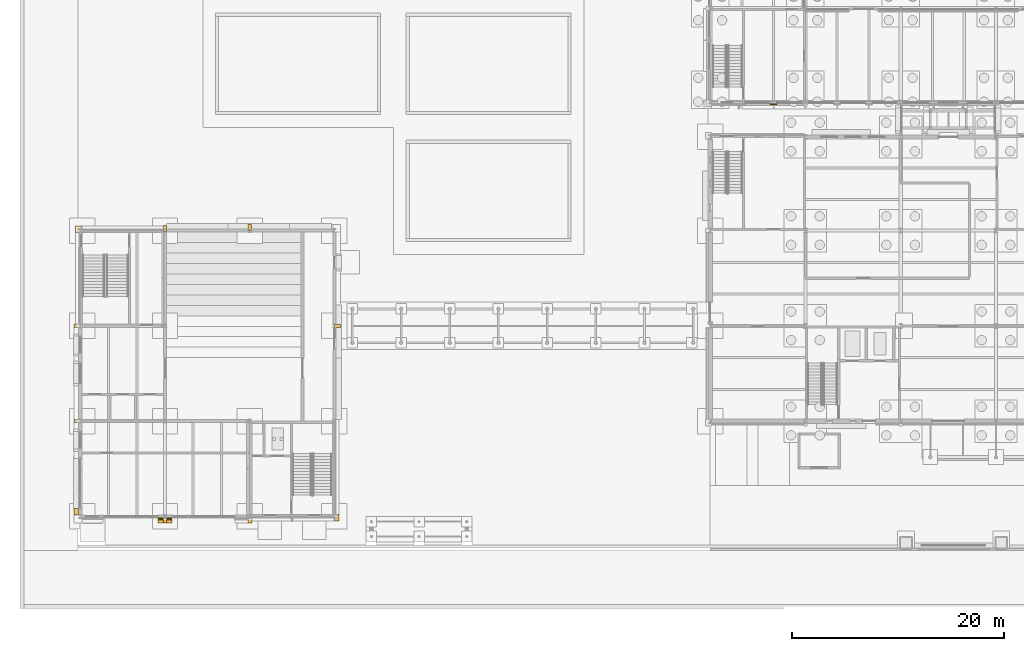
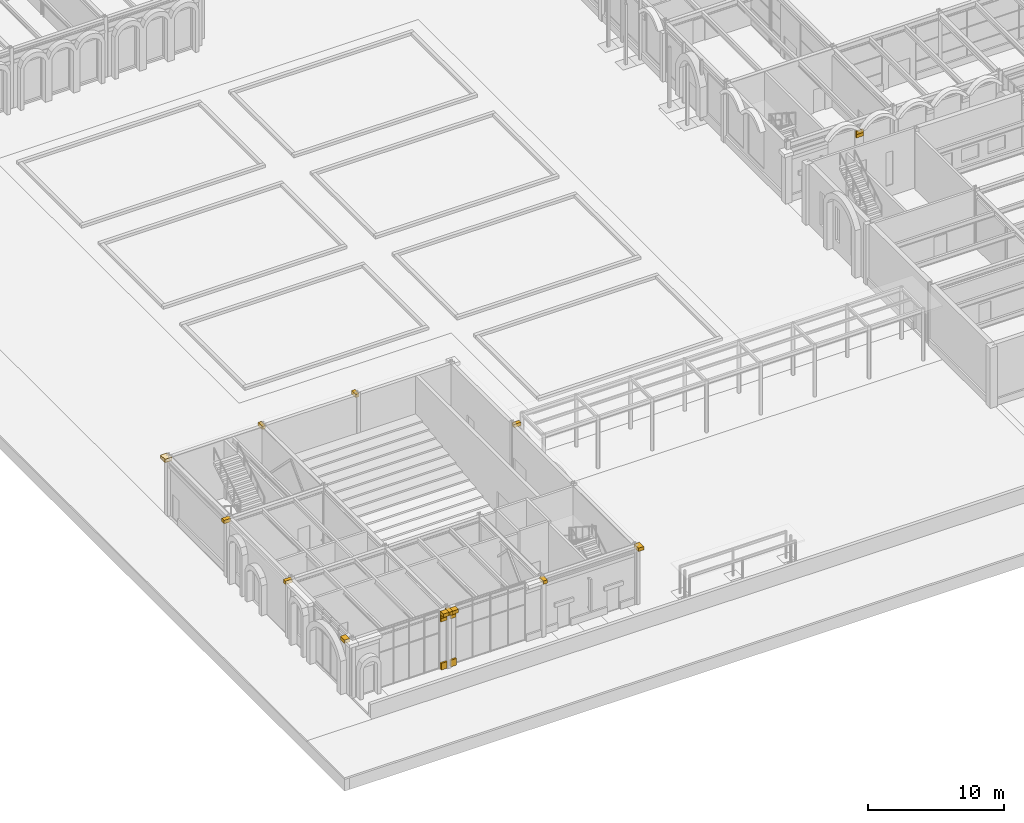
# One storey, part 121 of 126: 20 coverings.
"""IFC4 building model written with IfcOpenShell, lengths in metres."""

from ifc_helpers import new_model, si_unit, direction, frame, origin, origin_2d, place, context, subcontext, project, spatial, rectangle, extrude, material, layer, layer_set, type_object, element, save


model = new_model("IFC4")

# Units and contexts
model_context = context("Model", 3, precision=1e-05, world=origin(), true_north=direction((0.0, 1.0)))
body_context = subcontext(model_context, "Body", "Model", "MODEL_VIEW")
ifc_project = project(units=[si_unit("LENGTHUNIT", "METRE"), si_unit("AREAUNIT", "SQUARE_METRE"), si_unit("VOLUMEUNIT", "CUBIC_METRE"), si_unit("PLANEANGLEUNIT", "RADIAN"), si_unit("MASSUNIT", "GRAM", prefix="KILO")], contexts=[model_context])

# Site, building, storey
site_placement = place(None, origin())
site = spatial("IfcSite", under=ifc_project, at=site_placement, CompositionType="ELEMENT")
building_placement = place(site_placement, origin())
building = spatial("IfcBuilding", under=site, at=building_placement, Name="Kallimachos Central Library", CompositionType="ELEMENT")
storey_placement = place(building_placement, origin())
storey = spatial("IfcBuildingStorey", under=building, at=storey_placement, Name="L00", CompositionType="ELEMENT", Elevation=0.0)

# Coverings
ifc_material_1 = material(Name="Glazed ceramic frieze, green")
ifc_layer_1 = layer(ifc_material_1, 0.10009765625)
ifc_layer_set_1 = layer_set([ifc_layer_1], Name="Glazed ceramic frieze, green")
covering_type_1 = type_object("IfcCoveringType", Name="Glazed ceramic frieze, green", PredefinedType="CLADDING", material=ifc_layer_set_1)
covering_1_placement = place(storey_placement, frame((71.5, 47.929931640625, 4.02978515625), z_axis=(0.0, 0.0, 1.0), x_axis=(1.0, 0.0, 0.0)))
element("IfcCovering", 1, at=covering_1_placement, inside=storey, type_object=covering_type_1, Name="Glazed ceramic frieze, green -L00-015", PredefinedType="CLADDING", context=body_context, shape_type="SweptSolid", body=[
    extrude(rectangle(XDim=0.60009765625, YDim=0.10009765625, at=origin_2d()), origin(), (0.0, 0.0, 1.0), 0.300048828125),
])
for number, where, z_axis, x_axis, name in (
    (2, (13.60009765625, 8.800048828125, 4.580078125), (0.0, 0.0, 1.0), (1.0, 0.0, 0.0), "Glazed ceramic frieze, green -L00-006"),
    (3, (14.39990234375, 8.800048828125, 4.580078125), (0.0, 0.0, 1.0), (1.0, 0.0, 0.0), "Glazed ceramic frieze, green -L00-007"),
):
    element("IfcCovering", number, at=place(storey_placement, frame(where, z_axis=z_axis, x_axis=x_axis)), inside=storey, type_object=covering_type_1, Name=name, PredefinedType="CLADDING", context=body_context, shape_type="SweptSolid", body=[
        extrude(rectangle(XDim=0.5, YDim=0.10009765625, at=origin_2d()), origin(), (0.0, 0.0, 1.0), 0.300048828125),
    ])
ifc_material_2 = material(Name="Glazed ceramic frieze, ochre")
ifc_layer_2 = layer(ifc_material_2, 0.10009765625)
ifc_layer_set_2 = layer_set([ifc_layer_2], Name="Glazed ceramic frieze, ochre")
covering_type_2 = type_object("IfcCoveringType", Name="Glazed ceramic frieze, ochre", PredefinedType="CLADDING", material=ifc_layer_set_2)
covering_2_placement = place(storey_placement, frame((71.5, 47.929931640625, 3.72998046875), z_axis=(0.0, 0.0, 1.0), x_axis=(1.0, 0.0, 0.0)))
element("IfcCovering", 4, at=covering_2_placement, inside=storey, type_object=covering_type_2, Name="Glazed ceramic frieze, ochre -L00-015", PredefinedType="CLADDING", context=body_context, shape_type="SweptSolid", body=[
    extrude(rectangle(XDim=0.60009765625, YDim=0.10009765625, at=origin_2d()), origin(), (0.0, 0.0, 1.0), 0.300048828125),
])
for number, where, z_axis, x_axis, name in (
    (5, (13.60009765625, 8.800048828125, 4.27978515625), (0.0, 0.0, 1.0), (1.0, 0.0, 0.0), "Glazed ceramic frieze, ochre -L00-006"),
    (6, (14.39990234375, 8.800048828125, 4.27978515625), (0.0, 0.0, 1.0), (1.0, 0.0, 0.0), "Glazed ceramic frieze, ochre -L00-007"),
):
    element("IfcCovering", number, at=place(storey_placement, frame(where, z_axis=z_axis, x_axis=x_axis)), inside=storey, type_object=covering_type_2, Name=name, PredefinedType="CLADDING", context=body_context, shape_type="SweptSolid", body=[
        extrude(rectangle(XDim=0.5, YDim=0.10009765625, at=origin_2d()), origin(), (0.0, 0.0, 1.0), 0.300048828125),
    ])
ifc_material_3 = material(Name="Pentelic marble cornice", Category="masonry")
ifc_layer_3 = layer(ifc_material_3, 0.449951171875)
ifc_layer_set_3 = layer_set([ifc_layer_3], Name="Stone cornice 450")
covering_type_3 = type_object("IfcCoveringType", Name="Stone cornice 450", PredefinedType="MOLDING", material=ifc_layer_set_3)
for number, where, z_axis, x_axis, name in (
    (7, (13.60009765625, 8.625, 4.89990234375), (0.0, 0.0, 1.0), (1.0, 0.0, 0.0), "Stone cornice 450 -L00-006"),
    (8, (14.39990234375, 8.625, 4.89990234375), (0.0, 0.0, 1.0), (1.0, 0.0, 0.0), "Stone cornice 450 -L00-007"),
):
    element("IfcCovering", number, at=place(storey_placement, frame(where, z_axis=z_axis, x_axis=x_axis)), inside=storey, type_object=covering_type_3, Name=name, PredefinedType="MOLDING", context=body_context, shape_type="SweptSolid", body=[
        extrude(rectangle(XDim=0.5, YDim=0.449951171875, at=origin_2d()), origin(), (0.0, 0.0, 1.0), 0.300048828125),
    ])
covering_3_placement = place(storey_placement, frame((5.625, 9.449951171875, 4.89990234375), z_axis=(0.0, 0.0, 1.0), x_axis=(1.0, 0.0, 0.0)))
element("IfcCovering", 9, at=covering_3_placement, inside=storey, type_object=covering_type_3, Name="Stone cornice 450 -L00-009", PredefinedType="MOLDING", context=body_context, shape_type="SweptSolid", body=[
    extrude(rectangle(XDim=0.449951171875, YDim=0.60009765625, at=origin_2d()), origin(), (0.0, 0.0, 1.0), 0.300048828125),
])
covering_4_placement = place(storey_placement, frame((14.0, 8.699951171875, 4.89990234375), z_axis=(0.0, 0.0, 1.0), x_axis=(1.0, 0.0, 0.0)))
element("IfcCovering", 10, at=covering_4_placement, inside=storey, type_object=covering_type_3, Name="Stone cornice 450 -L00-006", PredefinedType="MOLDING", context=body_context, shape_type="SweptSolid", body=[
    extrude(rectangle(XDim=0.300048828125, YDim=0.60009765625, at=origin_2d()), origin(), (0.0, 0.0, 1.0), 0.300048828125),
])
covering_5_placement = place(storey_placement, frame((22.02490234375, 8.699951171875, 4.89990234375), z_axis=(0.0, 0.0, 1.0), x_axis=(1.0, 0.0, 0.0)))
element("IfcCovering", 11, at=covering_5_placement, inside=storey, type_object=covering_type_3, Name="Stone cornice 450 -L00-008", PredefinedType="MOLDING", context=body_context, shape_type="SweptSolid", body=[
    extrude(rectangle(XDim=0.35009765625, YDim=0.60009765625, at=origin_2d()), origin(), (0.0, 0.0, 1.0), 0.300048828125),
])
covering_6_placement = place(storey_placement, frame((5.699951171875, 18.0, 4.89990234375), z_axis=(0.0, 0.0, 1.0), x_axis=(1.0, 0.0, 0.0)))
element("IfcCovering", 12, at=covering_6_placement, inside=storey, type_object=covering_type_3, Name="Stone cornice 450 -L00-010", PredefinedType="MOLDING", context=body_context, shape_type="SweptSolid", body=[
    extrude(rectangle(XDim=0.60009765625, YDim=0.300048828125, at=origin_2d()), origin(), (0.0, 0.0, 1.0), 0.300048828125),
])
covering_7_placement = place(storey_placement, frame((5.699951171875, 27.02490234375, 4.89990234375), z_axis=(0.0, 0.0, 1.0), x_axis=(1.0, 0.0, 0.0)))
element("IfcCovering", 13, at=covering_7_placement, inside=storey, type_object=covering_type_3, Name="Stone cornice 450 -L00-011", PredefinedType="MOLDING", context=body_context, shape_type="SweptSolid", body=[
    extrude(rectangle(XDim=0.60009765625, YDim=0.35009765625, at=origin_2d()), origin(), (0.0, 0.0, 1.0), 0.300048828125),
])
for number, where, z_axis, x_axis, name in (
    (14, (14.0, 36.199951171875, 4.89990234375), (0.0, 0.0, 1.0), (1.0, 0.0, 0.0), "Stone cornice 450 -L00-028"),
    (15, (22.0, 36.300048828125, 4.89990234375), (0.0, 0.0, 1.0), (1.0, 0.0, 0.0), "Stone cornice 450 -L00-012"),
):
    element("IfcCovering", number, at=place(storey_placement, frame(where, z_axis=z_axis, x_axis=x_axis)), inside=storey, type_object=covering_type_3, Name=name, PredefinedType="MOLDING", context=body_context, shape_type="SweptSolid", body=[
        extrude(rectangle(XDim=0.300048828125, YDim=0.60009765625, at=origin_2d()), origin(), (0.0, 0.0, 1.0), 0.300048828125),
    ])
covering_8_placement = place(storey_placement, frame((30.300048828125, 27.0, 4.89990234375), z_axis=(0.0, 0.0, 1.0), x_axis=(1.0, 0.0, 0.0)))
element("IfcCovering", 16, at=covering_8_placement, inside=storey, type_object=covering_type_3, Name="Stone cornice 450 -L00-014", PredefinedType="MOLDING", context=body_context, shape_type="SweptSolid", body=[
    extrude(rectangle(XDim=0.60009765625, YDim=0.300048828125, at=origin_2d()), origin(), (0.0, 0.0, 1.0), 0.300048828125),
])
covering_9_placement = place(storey_placement, frame((30.219970703125, 8.875, 4.89990234375), z_axis=(0.0, 0.0, 1.0), x_axis=(1.0, 0.0, 0.0)))
element("IfcCovering", 17, at=covering_9_placement, inside=storey, type_object=covering_type_3, Name="Stone cornice 450 corner", PredefinedType="MOLDING", context=body_context, shape_type="SweptSolid", body=[
    extrude(rectangle(XDim=0.4599609375, YDim=0.64990234375, at=origin_2d()), origin(), (0.0, 0.0, 1.0), 0.300048828125),
])
covering_10_placement = place(storey_placement, frame((5.85009765625, 36.125, 4.89990234375), z_axis=(0.0, 0.0, 1.0), x_axis=(1.0, 0.0, 0.0)))
element("IfcCovering", 18, at=covering_10_placement, inside=storey, type_object=covering_type_3, Name="Stone cornice 450 corner", PredefinedType="MOLDING", context=body_context, shape_type="SweptSolid", body=[
    extrude(rectangle(XDim=0.60009765625, YDim=0.64990234375, at=origin_2d()), origin(), (0.0, 0.0, 1.0), 0.300048828125),
])
ifc_material_4 = material(Name="Pentelic marble plinth course", Category="masonry")
ifc_layer_4 = layer(ifc_material_4, 0.14990234375)
ifc_layer_set_4 = layer_set([ifc_layer_4], Name="Stone plinth course 600")
covering_type_4 = type_object("IfcCoveringType", Name="Stone plinth course 600", PredefinedType="CLADDING", material=ifc_layer_set_4)
for number, where, z_axis, x_axis, name in (
    (19, (13.60009765625, 8.77490234375, 0.0), (0.0, 0.0, 1.0), (1.0, 0.0, 0.0), "Stone plinth course 600 -L00-006"),
    (20, (14.39990234375, 8.77490234375, 0.0), (0.0, 0.0, 1.0), (1.0, 0.0, 0.0), "Stone plinth course 600 -L00-007"),
):
    element("IfcCovering", number, at=place(storey_placement, frame(where, z_axis=z_axis, x_axis=x_axis)), inside=storey, type_object=covering_type_4, Name=name, PredefinedType="CLADDING", context=body_context, shape_type="SweptSolid", body=[
        extrude(rectangle(XDim=0.5, YDim=0.14990234375, at=origin_2d()), origin(), (0.0, 0.0, 1.0), 0.60009765625),
    ])

save(model, "model.ifc")
